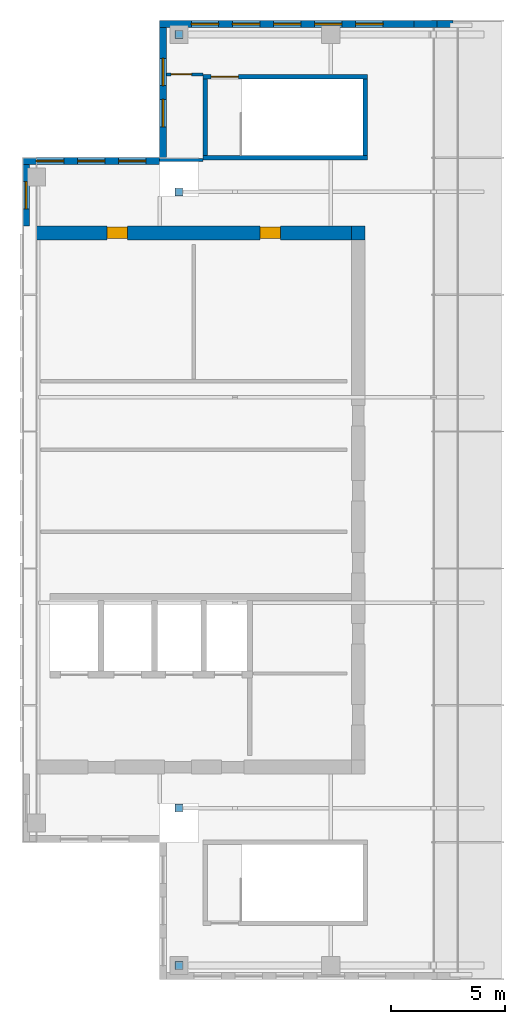
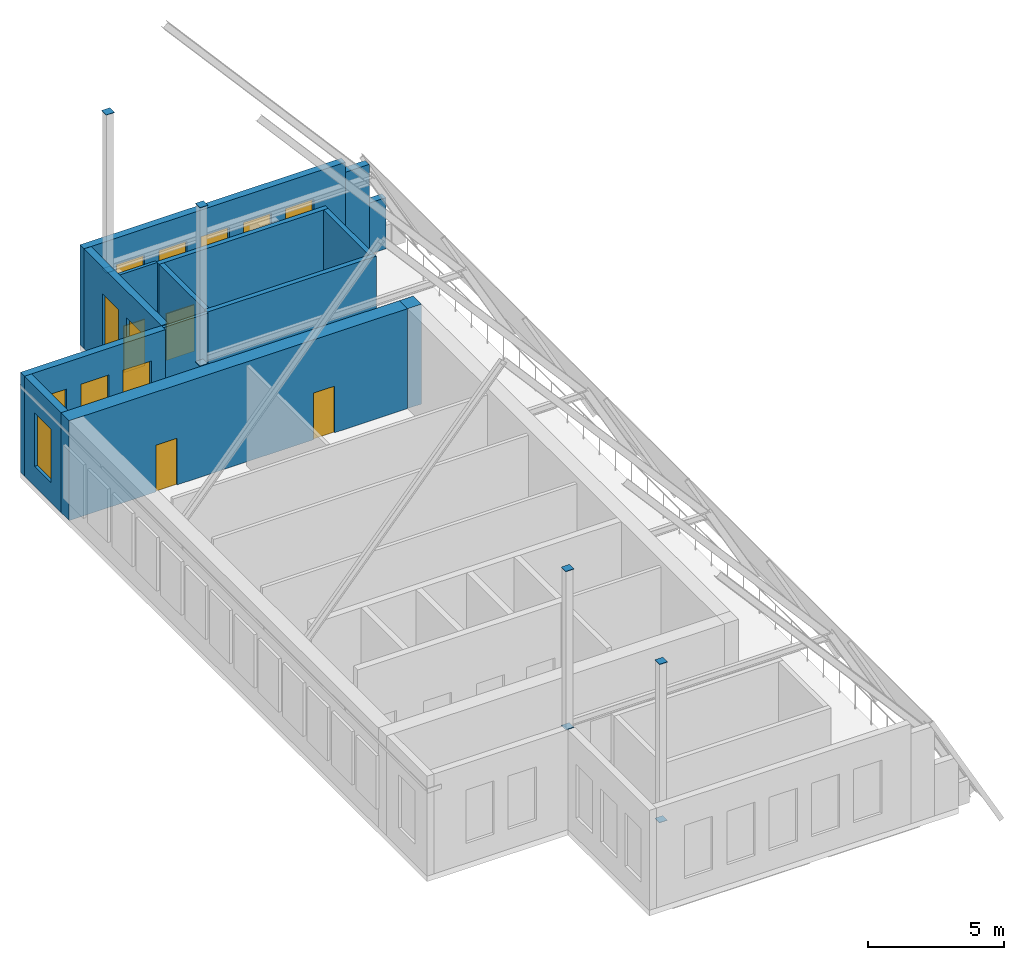
# One storey, part 3 of 4: 14 walls, 11 windows, 8 discrete accessories, 4 doors, 15 openings.
"""IFC4 building model written with IfcOpenShell, lengths in metres."""

from ifc_helpers import new_model, si_unit, direction, frame, frame_2d, origin, origin_2d, place, context, subcontext, project, spatial, rectangle, extrude, source, transform, mapped, material, layer, layer_set, type_object, element, fill, save


model = new_model("IFC4")

# Units and contexts
model_context = context("Model", 3, precision=1e-05, world=origin(), true_north=direction((0.0, 1.0)))
body_context = subcontext(model_context, "Body", "Model", "MODEL_VIEW")
ifc_project = project(units=[si_unit("LENGTHUNIT", "METRE"), si_unit("AREAUNIT", "SQUARE_METRE"), si_unit("VOLUMEUNIT", "CUBIC_METRE"), si_unit("PLANEANGLEUNIT", "RADIAN"), si_unit("MASSUNIT", "GRAM", prefix="KILO")], contexts=[model_context])

# Site, building, storey
site_placement = place(None, origin())
site = spatial("IfcSite", under=ifc_project, at=site_placement, CompositionType="ELEMENT")
building_placement = place(site_placement, origin())
building = spatial("IfcBuilding", under=site, at=building_placement, Name="Khomas Fold Tower", CompositionType="ELEMENT")
storey_placement = place(building_placement, frame((0.0, 0.0, 352.699951171875)))
storey = spatial("IfcBuildingStorey", under=building, at=storey_placement, Name="C6", CompositionType="ELEMENT", Elevation=352.699951171875)

# Wall, openings, doors
ifc_material_1 = material(Name="Concrete C50/60", Category="concrete")
ifc_layer_1 = layer(ifc_material_1, 0.60009765625)
ifc_layer_set_1 = layer_set([ifc_layer_1], Name="Concrete C50/60")
wall_type_1 = type_object("IfcWallType", Name="Core wall 600", PredefinedType="SHEAR", material=ifc_layer_set_1)
shared_shape_1 = source(origin(), body_context, "Body", "SweptSolid", [
    extrude(rectangle(XDim=14.39990234375, YDim=0.60009765625, at=frame_2d((7.199951171875, 0.0))), origin(), (0.0, 0.0, 1.0), 4.5),
])
wall_1_placement = place(storey_placement, frame((6.0, 38.699951171875, 0.0), z_axis=(0.0, 0.0, 1.0), x_axis=(1.0, 0.0, 0.0)))
wall_1 = element("IfcWall", 1, at=wall_1_placement, inside=storey, type_object=wall_type_1, Name="Core wall CW-U-N-L63", PredefinedType="SHEAR", context=body_context, shape_type="MappedRepresentation", body=[
    mapped(shared_shape_1, transform((0.0, 0.0, 0.0))),
])
shared_shape_2 = source(origin(), body_context, "Body", "SweptSolid", [
    extrude(rectangle(XDim=0.89990234375, YDim=2.10009765625, at=frame_2d((0.449951171875, 1.050048828125))), frame((0.0, 0.31005859375, 0.0), z_axis=(0.0, -1.0, 0.0), x_axis=(1.0, 0.0, 0.0)), (0.0, 0.0, 1.0), 0.6201171875),
])
opening_1_placement = place(wall_1_placement, frame((3.699951171875, 0.0, 0.0)))
opening_1 = element("IfcOpeningElement", 2, at=opening_1_placement, cuts=wall_1, Name="Opening 0003", PredefinedType="OPENING", context=body_context, shape_type="MappedRepresentation", body=[
    mapped(shared_shape_2, transform((0.0, 0.0, 0.0))),
])
opening_2_placement = place(wall_1_placement, frame((10.39990234375, 0.0, 0.0)))
opening_2 = element("IfcOpeningElement", 3, at=opening_2_placement, cuts=wall_1, Name="Opening 0003", PredefinedType="OPENING", context=body_context, shape_type="MappedRepresentation", body=[
    mapped(shared_shape_2, transform((0.0, 0.0, 0.0))),
])
ifc_material_2 = material(Name="Steel door leaf", Category="steel")
door_type_1 = type_object("IfcDoorType", Name="Plant room door 900x2100 right-hand", OperationType="SINGLE_SWING_RIGHT", PredefinedType="DOOR", material=ifc_material_2)
shared_shape_3 = source(origin(), body_context, "Body", "SweptSolid", [
    extrude(rectangle(XDim=0.89990234375, YDim=2.10009765625, at=frame_2d((0.449951171875, 1.050048828125))), frame((0.0, 0.25, 0.0), z_axis=(0.0, -1.0, 0.0), x_axis=(1.0, 0.0, 0.0)), (0.0, 0.0, 1.0), 0.5),
])
door_1_placement = place(opening_1_placement, origin())
door_1 = element("IfcDoor", 4, at=door_1_placement, inside=storey, type_object=door_type_1, Name="Plant room door", OperationType="SINGLE_SWING_RIGHT", OverallHeight=2.10009765625, OverallWidth=0.89990234375, PredefinedType="DOOR", context=body_context, shape_type="MappedRepresentation", body=[
    mapped(shared_shape_3, transform((0.0, 0.0, 0.0))),
])
fill(opening_1, door_1)
door_2_placement = place(opening_2_placement, origin())
door_2 = element("IfcDoor", 5, at=door_2_placement, inside=storey, type_object=door_type_1, Name="Plant room door", OperationType="SINGLE_SWING_RIGHT", OverallHeight=2.10009765625, OverallWidth=0.89990234375, PredefinedType="DOOR", context=body_context, shape_type="MappedRepresentation", body=[
    mapped(shared_shape_3, transform((0.0, 0.0, 0.0))),
])
fill(opening_2, door_2)

# Wall
ifc_material_3 = material(Name="Concrete C50/60", Category="concrete")
ifc_layer_2 = layer(ifc_material_3, 0.60009765625)
ifc_layer_set_2 = layer_set([ifc_layer_2], Name="Concrete C50/60")
wall_type_2 = type_object("IfcWallType", Name="Core corner wall 600", PredefinedType="SHEAR", material=ifc_layer_set_2)
shared_shape_4 = source(origin(), body_context, "Body", "SweptSolid", [
    extrude(rectangle(XDim=0.60009765625, YDim=0.60009765625, at=frame_2d((0.300048828125, 0.0))), origin(), (0.0, 0.0, 1.0), 4.5),
])
wall_2_placement = place(storey_placement, frame((20.39990234375, 38.699951171875, 0.0), z_axis=(0.0, 0.0, 1.0), x_axis=(1.0, 0.0, 0.0)))
element("IfcWall", 6, at=wall_2_placement, inside=storey, type_object=wall_type_2, Name="Core wall CW-U-NE-L63", PredefinedType="SHEAR", context=body_context, shape_type="MappedRepresentation", body=[
    mapped(shared_shape_4, transform((0.0, 0.0, 0.0))),
])

# Wall, opening, door
ifc_material_4 = material(Name="Concrete C50/60", Category="concrete")
ifc_layer_3 = layer(ifc_material_4, 0.199951171875)
ifc_layer_set_3 = layer_set([ifc_layer_3], Name="Concrete C50/60")
wall_type_3 = type_object("IfcWallType", Name="Stair wall 200", PredefinedType="SHEAR", material=ifc_layer_set_3)
shared_shape_5 = source(origin(), body_context, "Body", "SweptSolid", [
    extrude(rectangle(XDim=7.2001953125, YDim=0.199951171875, at=frame_2d((3.60009765625, 0.0))), origin(), (0.0, 0.0, 1.0), 4.5),
])
wall_3_placement = place(storey_placement, frame((13.89990234375, 45.550048828125, 0.0), z_axis=(0.0, 0.0, 1.0), x_axis=(1.0, 0.0, 0.0)))
wall_3 = element("IfcWall", 7, at=wall_3_placement, inside=storey, type_object=wall_type_3, Name="Stair wall SW-ST1-NU", PredefinedType="SHEAR", context=body_context, shape_type="MappedRepresentation", body=[
    mapped(shared_shape_5, transform((0.0, 0.0, 0.0))),
])
shared_shape_6 = source(origin(), body_context, "Body", "SweptSolid", [
    extrude(rectangle(XDim=1.199951171875, YDim=2.10009765625, at=frame_2d((0.60009765625, 1.050048828125))), frame((0.0, 0.10986328125, 0.0), z_axis=(0.0, -1.0, 0.0), x_axis=(1.0, 0.0, 0.0)), (0.0, 0.0, 1.0), 0.219970703125),
])
opening_3_placement = place(wall_3_placement, frame((0.35009765625, 0.0, 0.0)))
opening_3 = element("IfcOpeningElement", 8, at=opening_3_placement, cuts=wall_3, Name="Opening SD-ST1", PredefinedType="OPENING", context=body_context, shape_type="MappedRepresentation", body=[
    mapped(shared_shape_6, transform((0.0, 0.0, 0.0))),
])
ifc_material_5 = material(Name="Steel door leaf", Category="steel")
door_type_2 = type_object("IfcDoorType", Name="Stair door 1200x2100 left-hand", OperationType="SINGLE_SWING_LEFT", PredefinedType="DOOR", material=ifc_material_5)
shared_shape_7 = source(origin(), body_context, "Body", "SweptSolid", [
    extrude(rectangle(XDim=1.199951171875, YDim=2.10009765625, at=frame_2d((0.60009765625, 1.050048828125))), frame((0.0, 0.02490234375, 0.0), z_axis=(0.0, -1.0, 0.0), x_axis=(1.0, 0.0, 0.0)), (0.0, 0.0, 1.0), 0.050048828125),
])
door_3_placement = place(opening_3_placement, origin())
door_3 = element("IfcDoor", 9, at=door_3_placement, inside=storey, type_object=door_type_2, Name="Stair door", OperationType="SINGLE_SWING_LEFT", OverallHeight=2.10009765625, OverallWidth=1.199951171875, PredefinedType="DOOR", context=body_context, shape_type="MappedRepresentation", body=[
    mapped(shared_shape_7, transform((0.0, 0.0, 0.0))),
])
fill(opening_3, door_3)

# Walls
wall_4_placement = place(storey_placement, frame((13.89990234375, 42.0, 0.0), z_axis=(0.0, 0.0, 1.0), x_axis=(1.0, 0.0, 0.0)))
element("IfcWall", 10, at=wall_4_placement, inside=storey, type_object=wall_type_3, Name="Stair wall SW-ST1-SU", PredefinedType="SHEAR", context=body_context, shape_type="MappedRepresentation", body=[
    mapped(shared_shape_5, transform((0.0, 0.0, 0.0))),
])
shared_shape_8 = source(origin(), body_context, "Body", "SweptSolid", [
    extrude(rectangle(XDim=3.349853515625, YDim=0.199951171875, at=frame_2d((1.6748046875, 0.0))), origin(), (0.0, 0.0, 1.0), 4.5),
])
for number, where, z_axis, x_axis, name in (
    (11, (21.0, 42.10009765625, 0.0), (0.0, 0.0, 1.0), (0.0, 1.0, 0.0), "Stair wall SW-ST1-EU"),
    (12, (14.0, 42.10009765625, 0.0), (0.0, 0.0, 1.0), (0.0, 1.0, 0.0), "Stair wall SW-ST1-W"),
):
    element("IfcWall", number, at=place(storey_placement, frame(where, z_axis=z_axis, x_axis=x_axis)), inside=storey, type_object=wall_type_3, Name=name, PredefinedType="SHEAR", context=body_context, shape_type="MappedRepresentation", body=[
        mapped(shared_shape_8, transform((0.0, 0.0, 0.0))),
    ])

# Wall, openings, windows
ifc_material_6 = material(Name="Concrete C40/50", Category="concrete")
ifc_layer_4 = layer(ifc_material_6, 0.300048828125)
ifc_layer_set_4 = layer_set([ifc_layer_4], Name="Concrete C40/50")
wall_type_4 = type_object("IfcWallType", Name="Crown gable wall 300 CR-GW1", PredefinedType="SOLIDWALL", material=ifc_layer_set_4)
shared_shape_9 = source(origin(), body_context, "Body", "SweptSolid", [
    extrude(rectangle(XDim=5.699951171875, YDim=0.300048828125, at=frame_2d((2.85009765625, 0.0))), origin(), (0.0, 0.0, 1.0), 4.5),
])
wall_5_placement = place(storey_placement, frame((12.14990234375, 47.699951171875, 0.0), z_axis=(0.0, 0.0, 1.0), x_axis=(0.0, -1.0, 0.0)))
wall_5 = element("IfcWall", 13, at=wall_5_placement, inside=storey, type_object=wall_type_4, Name="Crown wall", PredefinedType="SOLIDWALL", context=body_context, shape_type="MappedRepresentation", body=[
    mapped(shared_shape_9, transform((0.0, 0.0, 0.0))),
])
shared_shape_10 = source(origin(), body_context, "Body", "SweptSolid", [
    extrude(rectangle(XDim=1.199951171875, YDim=2.39990234375, at=frame_2d((0.60009765625, 1.199951171875))), frame((0.0, 0.159912109375, 0.0), z_axis=(0.0, -1.0, 0.0), x_axis=(1.0, 0.0, 0.0)), (0.0, 0.0, 1.0), 0.320068359375),
])
opening_4_placement = place(wall_5_placement, frame((1.35009765625, 0.0, 0.89990234375)))
opening_4 = element("IfcOpeningElement", 14, at=opening_4_placement, cuts=wall_5, Name="Opening CR-LV", PredefinedType="OPENING", context=body_context, shape_type="MappedRepresentation", body=[
    mapped(shared_shape_10, transform((0.0, 0.0, 0.0))),
])
opening_5_placement = place(wall_5_placement, frame((3.14990234375, 0.0, 0.89990234375)))
opening_5 = element("IfcOpeningElement", 15, at=opening_5_placement, cuts=wall_5, Name="Opening CR-LV", PredefinedType="OPENING", context=body_context, shape_type="MappedRepresentation", body=[
    mapped(shared_shape_10, transform((0.0, 0.0, 0.0))),
])
ifc_material_7 = material(Name="Aluminium louvre", Category="aluminium")
window_type = type_object("IfcWindowType", Name="Crown plant louvre 1200 x 2400", PartitioningType="SINGLE_PANEL", PredefinedType="WINDOW", material=ifc_material_7)
shared_shape_11 = source(origin(), body_context, "Body", "SweptSolid", [
    extrude(rectangle(XDim=1.199951171875, YDim=2.39990234375, at=frame_2d((0.60009765625, 1.199951171875))), frame((0.0, 0.030029296875, 0.0), z_axis=(0.0, -1.0, 0.0), x_axis=(1.0, 0.0, 0.0)), (0.0, 0.0, 1.0), 0.06005859375),
])
window_1_placement = place(opening_4_placement, origin())
window_1 = element("IfcWindow", 16, at=window_1_placement, inside=storey, type_object=window_type, Name="Crown plant louvre", OverallHeight=2.39990234375, OverallWidth=1.199951171875, PartitioningType="SINGLE_PANEL", PredefinedType="WINDOW", context=body_context, shape_type="MappedRepresentation", body=[
    mapped(shared_shape_11, transform((0.0, 0.0, 0.0))),
])
fill(opening_4, window_1)
window_2_placement = place(opening_5_placement, origin())
window_2 = element("IfcWindow", 17, at=window_2_placement, inside=storey, type_object=window_type, Name="Crown plant louvre", OverallHeight=2.39990234375, OverallWidth=1.199951171875, PartitioningType="SINGLE_PANEL", PredefinedType="WINDOW", context=body_context, shape_type="MappedRepresentation", body=[
    mapped(shared_shape_11, transform((0.0, 0.0, 0.0))),
])
fill(opening_5, window_2)

shared_shape_12 = source(origin(), body_context, "Body", "SweptSolid", [
    extrude(rectangle(XDim=6.0, YDim=0.300048828125, at=frame_2d((3.0, 0.0))), origin(), (0.0, 0.0, 1.0), 4.5),
])
wall_6_placement = place(storey_placement, frame((12.0, 41.85009765625, 0.0), z_axis=(0.0, 0.0, 1.0), x_axis=(-1.0, 0.0, 0.0)))
wall_6 = element("IfcWall", 18, at=wall_6_placement, inside=storey, type_object=wall_type_4, Name="Crown wall", PredefinedType="SOLIDWALL", context=body_context, shape_type="MappedRepresentation", body=[
    mapped(shared_shape_12, transform((0.0, 0.0, 0.0))),
])
opening_6_placement = place(wall_6_placement, frame((0.60009765625, 0.0, 0.89990234375)))
opening_6 = element("IfcOpeningElement", 19, at=opening_6_placement, cuts=wall_6, Name="Opening CR-LV", PredefinedType="OPENING", context=body_context, shape_type="MappedRepresentation", body=[
    mapped(shared_shape_10, transform((0.0, 0.0, 0.0))),
])
opening_7_placement = place(wall_6_placement, frame((2.39990234375, 0.0, 0.89990234375)))
opening_7 = element("IfcOpeningElement", 20, at=opening_7_placement, cuts=wall_6, Name="Opening CR-LV", PredefinedType="OPENING", context=body_context, shape_type="MappedRepresentation", body=[
    mapped(shared_shape_10, transform((0.0, 0.0, 0.0))),
])
opening_8_placement = place(wall_6_placement, frame((4.199951171875, 0.0, 0.89990234375)))
opening_8 = element("IfcOpeningElement", 21, at=opening_8_placement, cuts=wall_6, Name="Opening CR-LV", PredefinedType="OPENING", context=body_context, shape_type="MappedRepresentation", body=[
    mapped(shared_shape_10, transform((0.0, 0.0, 0.0))),
])
window_3_placement = place(opening_6_placement, origin())
window_3 = element("IfcWindow", 22, at=window_3_placement, inside=storey, type_object=window_type, Name="Crown plant louvre", OverallHeight=2.39990234375, OverallWidth=1.199951171875, PartitioningType="SINGLE_PANEL", PredefinedType="WINDOW", context=body_context, shape_type="MappedRepresentation", body=[
    mapped(shared_shape_11, transform((0.0, 0.0, 0.0))),
])
fill(opening_6, window_3)
window_4_placement = place(opening_7_placement, origin())
window_4 = element("IfcWindow", 23, at=window_4_placement, inside=storey, type_object=window_type, Name="Crown plant louvre", OverallHeight=2.39990234375, OverallWidth=1.199951171875, PartitioningType="SINGLE_PANEL", PredefinedType="WINDOW", context=body_context, shape_type="MappedRepresentation", body=[
    mapped(shared_shape_11, transform((0.0, 0.0, 0.0))),
])
fill(opening_7, window_4)
window_5_placement = place(opening_8_placement, origin())
window_5 = element("IfcWindow", 24, at=window_5_placement, inside=storey, type_object=window_type, Name="Crown plant louvre", OverallHeight=2.39990234375, OverallWidth=1.199951171875, PartitioningType="SINGLE_PANEL", PredefinedType="WINDOW", context=body_context, shape_type="MappedRepresentation", body=[
    mapped(shared_shape_11, transform((0.0, 0.0, 0.0))),
])
fill(opening_8, window_5)

# Wall, opening, window
shared_shape_13 = source(origin(), body_context, "Body", "SweptSolid", [
    extrude(rectangle(XDim=2.699951171875, YDim=0.300048828125, at=frame_2d((1.35009765625, 0.0))), origin(), (0.0, 0.0, 1.0), 4.5),
])
wall_7_placement = place(storey_placement, frame((6.14990234375, 41.699951171875, 0.0), z_axis=(0.0, 0.0, 1.0), x_axis=(0.0, -1.0, 0.0)))
wall_7 = element("IfcWall", 25, at=wall_7_placement, inside=storey, type_object=wall_type_4, Name="Crown wall", PredefinedType="SOLIDWALL", context=body_context, shape_type="MappedRepresentation", body=[
    mapped(shared_shape_13, transform((0.0, 0.0, 0.0))),
])
opening_9_placement = place(wall_7_placement, frame((0.75, 0.0, 0.89990234375)))
opening_9 = element("IfcOpeningElement", 26, at=opening_9_placement, cuts=wall_7, Name="Opening CR-LV", PredefinedType="OPENING", context=body_context, shape_type="MappedRepresentation", body=[
    mapped(shared_shape_10, transform((0.0, 0.0, 0.0))),
])
window_6_placement = place(opening_9_placement, origin())
window_6 = element("IfcWindow", 27, at=window_6_placement, inside=storey, type_object=window_type, Name="Crown plant louvre", OverallHeight=2.39990234375, OverallWidth=1.199951171875, PartitioningType="SINGLE_PANEL", PredefinedType="WINDOW", context=body_context, shape_type="MappedRepresentation", body=[
    mapped(shared_shape_11, transform((0.0, 0.0, 0.0))),
])
fill(opening_9, window_6)

# Walls
ifc_material_8 = material(Name="Concrete C40/50", Category="concrete")
ifc_layer_5 = layer(ifc_material_8, 0.300048828125)
ifc_layer_set_5 = layer_set([ifc_layer_5], Name="Concrete C40/50")
wall_type_5 = type_object("IfcWallType", Name="Crown gable wall 300 CR-GW2", PredefinedType="SOLIDWALL", material=ifc_layer_set_5)
shared_shape_14 = source(origin(), body_context, "Body", "SweptSolid", [
    extrude(rectangle(XDim=1.012451171875, YDim=0.300048828125, at=frame_2d((0.50634765625, 0.0))), origin(), (0.0, 0.0, 1.0), 4.050048828125),
])
wall_8_placement = place(storey_placement, frame((24.14892578125, 47.85009765625, 0.0), z_axis=(0.0, 0.0, 1.0), x_axis=(-1.0, 0.0, 0.0)))
element("IfcWall", 28, at=wall_8_placement, inside=storey, type_object=wall_type_5, Name="Crown wall", PredefinedType="SOLIDWALL", context=body_context, shape_type="MappedRepresentation", body=[
    mapped(shared_shape_14, transform((0.0, 0.0, 0.0))),
])
ifc_material_9 = material(Name="Concrete C40/50", Category="concrete")
ifc_layer_6 = layer(ifc_material_9, 0.300048828125)
ifc_layer_set_6 = layer_set([ifc_layer_6], Name="Concrete C40/50")
wall_type_6 = type_object("IfcWallType", Name="Crown gable wall 300 CR-GW3", PredefinedType="SOLIDWALL", material=ifc_layer_set_6)
shared_shape_15 = source(origin(), body_context, "Body", "SweptSolid", [
    extrude(rectangle(XDim=0.71240234375, YDim=0.300048828125, at=frame_2d((0.356201171875, 0.0))), origin(), (0.0, 0.0, 1.0), 2.300048828125),
])
wall_9_placement = place(storey_placement, frame((24.861328125, 47.85009765625, 0.0), z_axis=(0.0, 0.0, 1.0), x_axis=(-1.0, 0.0, 0.0)))
element("IfcWall", 29, at=wall_9_placement, inside=storey, type_object=wall_type_6, Name="Crown wall", PredefinedType="SOLIDWALL", context=body_context, shape_type="MappedRepresentation", body=[
    mapped(shared_shape_15, transform((0.0, 0.0, 0.0))),
])

# Wall, openings, windows
shared_shape_16 = source(origin(), body_context, "Body", "SweptSolid", [
    extrude(rectangle(XDim=11.136474609375, YDim=0.300048828125, at=frame_2d((5.568359375, 0.0))), origin(), (0.0, 0.0, 1.0), 4.5),
])
wall_10_placement = place(storey_placement, frame((23.136474609375, 47.85009765625, 0.0), z_axis=(0.0, 0.0, 1.0), x_axis=(-1.0, 0.0, 0.0)))
wall_10 = element("IfcWall", 30, at=wall_10_placement, inside=storey, type_object=wall_type_4, Name="Crown wall", PredefinedType="SOLIDWALL", context=body_context, shape_type="MappedRepresentation", body=[
    mapped(shared_shape_16, transform((0.0, 0.0, 0.0))),
])
opening_10_placement = place(wall_10_placement, frame((1.35009765625, 0.0, 0.89990234375)))
opening_10 = element("IfcOpeningElement", 31, at=opening_10_placement, cuts=wall_10, Name="Opening CR-LV", PredefinedType="OPENING", context=body_context, shape_type="MappedRepresentation", body=[
    mapped(shared_shape_10, transform((0.0, 0.0, 0.0))),
])
opening_11_placement = place(wall_10_placement, frame((3.14990234375, 0.0, 0.89990234375)))
opening_11 = element("IfcOpeningElement", 32, at=opening_11_placement, cuts=wall_10, Name="Opening CR-LV", PredefinedType="OPENING", context=body_context, shape_type="MappedRepresentation", body=[
    mapped(shared_shape_10, transform((0.0, 0.0, 0.0))),
])
opening_12_placement = place(wall_10_placement, frame((4.949951171875, 0.0, 0.89990234375)))
opening_12 = element("IfcOpeningElement", 33, at=opening_12_placement, cuts=wall_10, Name="Opening CR-LV", PredefinedType="OPENING", context=body_context, shape_type="MappedRepresentation", body=[
    mapped(shared_shape_10, transform((0.0, 0.0, 0.0))),
])
opening_13_placement = place(wall_10_placement, frame((6.75, 0.0, 0.89990234375)))
opening_13 = element("IfcOpeningElement", 34, at=opening_13_placement, cuts=wall_10, Name="Opening CR-LV", PredefinedType="OPENING", context=body_context, shape_type="MappedRepresentation", body=[
    mapped(shared_shape_10, transform((0.0, 0.0, 0.0))),
])
opening_14_placement = place(wall_10_placement, frame((8.550048828125, 0.0, 0.89990234375)))
opening_14 = element("IfcOpeningElement", 35, at=opening_14_placement, cuts=wall_10, Name="Opening CR-LV", PredefinedType="OPENING", context=body_context, shape_type="MappedRepresentation", body=[
    mapped(shared_shape_10, transform((0.0, 0.0, 0.0))),
])
window_7_placement = place(opening_10_placement, origin())
window_7 = element("IfcWindow", 36, at=window_7_placement, inside=storey, type_object=window_type, Name="Crown plant louvre", OverallHeight=2.39990234375, OverallWidth=1.199951171875, PartitioningType="SINGLE_PANEL", PredefinedType="WINDOW", context=body_context, shape_type="MappedRepresentation", body=[
    mapped(shared_shape_11, transform((0.0, 0.0, 0.0))),
])
fill(opening_10, window_7)
window_8_placement = place(opening_11_placement, origin())
window_8 = element("IfcWindow", 37, at=window_8_placement, inside=storey, type_object=window_type, Name="Crown plant louvre", OverallHeight=2.39990234375, OverallWidth=1.199951171875, PartitioningType="SINGLE_PANEL", PredefinedType="WINDOW", context=body_context, shape_type="MappedRepresentation", body=[
    mapped(shared_shape_11, transform((0.0, 0.0, 0.0))),
])
fill(opening_11, window_8)
window_9_placement = place(opening_12_placement, origin())
window_9 = element("IfcWindow", 38, at=window_9_placement, inside=storey, type_object=window_type, Name="Crown plant louvre", OverallHeight=2.39990234375, OverallWidth=1.199951171875, PartitioningType="SINGLE_PANEL", PredefinedType="WINDOW", context=body_context, shape_type="MappedRepresentation", body=[
    mapped(shared_shape_11, transform((0.0, 0.0, 0.0))),
])
fill(opening_12, window_9)
window_10_placement = place(opening_13_placement, origin())
window_10 = element("IfcWindow", 39, at=window_10_placement, inside=storey, type_object=window_type, Name="Crown plant louvre", OverallHeight=2.39990234375, OverallWidth=1.199951171875, PartitioningType="SINGLE_PANEL", PredefinedType="WINDOW", context=body_context, shape_type="MappedRepresentation", body=[
    mapped(shared_shape_11, transform((0.0, 0.0, 0.0))),
])
fill(opening_13, window_10)
window_11_placement = place(opening_14_placement, origin())
window_11 = element("IfcWindow", 40, at=window_11_placement, inside=storey, type_object=window_type, Name="Crown plant louvre", OverallHeight=2.39990234375, OverallWidth=1.199951171875, PartitioningType="SINGLE_PANEL", PredefinedType="WINDOW", context=body_context, shape_type="MappedRepresentation", body=[
    mapped(shared_shape_11, transform((0.0, 0.0, 0.0))),
])
fill(opening_14, window_11)

# Wall
ifc_material_10 = material(Name="Plasterboard partition")
ifc_layer_7 = layer(ifc_material_10, 0.125)
ifc_layer_set_7 = layer_set([ifc_layer_7], Name="Plasterboard partition")
wall_type_7 = type_object("IfcWallType", Name="Partition PW2 125", PredefinedType="PARTITIONING", material=ifc_layer_set_7)
shared_shape_17 = source(origin(), body_context, "Body", "SweptSolid", [
    extrude(rectangle(XDim=1.89990234375, YDim=0.125, at=frame_2d((0.949951171875, 0.0))), origin(), (0.0, 0.0, 1.0), 4.5),
])
wall_11_placement = place(storey_placement, frame((12.0, 41.89990234375, 0.0), z_axis=(0.0, 0.0, 1.0), x_axis=(1.0, 0.0, 0.0)))
element("IfcWall", 41, at=wall_11_placement, inside=storey, type_object=wall_type_7, Name="Partition", PredefinedType="PARTITIONING", context=body_context, shape_type="MappedRepresentation", body=[
    mapped(shared_shape_17, transform((0.0, 0.0, 0.0))),
])

# Wall, opening, door
shared_shape_18 = source(origin(), body_context, "Body", "SweptSolid", [
    extrude(rectangle(XDim=1.599853515625, YDim=0.125, at=frame_2d((0.7998046875, 0.0))), origin(), (0.0, 0.0, 1.0), 4.5),
])
wall_12_placement = place(storey_placement, frame((12.300048828125, 45.64990234375, 0.0), z_axis=(0.0, 0.0, 1.0), x_axis=(1.0, 0.0, 0.0)))
wall_12 = element("IfcWall", 42, at=wall_12_placement, inside=storey, type_object=wall_type_7, Name="Partition", PredefinedType="PARTITIONING", context=body_context, shape_type="MappedRepresentation", body=[
    mapped(shared_shape_18, transform((0.0, 0.0, 0.0))),
])
shared_shape_19 = source(origin(), body_context, "Body", "SweptSolid", [
    extrude(rectangle(XDim=0.89990234375, YDim=2.10009765625, at=frame_2d((0.449951171875, 1.050048828125))), frame((0.0, 0.072509765625, 0.0), z_axis=(0.0, -1.0, 0.0), x_axis=(1.0, 0.0, 0.0)), (0.0, 0.0, 1.0), 0.14501953125),
])
opening_15_placement = place(wall_12_placement, frame((0.199951171875, 0.0, 0.0)))
opening_15 = element("IfcOpeningElement", 43, at=opening_15_placement, cuts=wall_12, Name="Opening 0007", PredefinedType="OPENING", context=body_context, shape_type="MappedRepresentation", body=[
    mapped(shared_shape_19, transform((0.0, 0.0, 0.0))),
])
ifc_material_11 = material(Name="Timber door leaf", Category="wood")
door_type_3 = type_object("IfcDoorType", Name="Door 900x2100 left-hand", OperationType="SINGLE_SWING_LEFT", PredefinedType="DOOR", material=ifc_material_11)
shared_shape_20 = source(origin(), body_context, "Body", "SweptSolid", [
    extrude(rectangle(XDim=0.89990234375, YDim=2.10009765625, at=frame_2d((0.449951171875, 1.050048828125))), frame((0.0, 0.02490234375, 0.0), z_axis=(0.0, -1.0, 0.0), x_axis=(1.0, 0.0, 0.0)), (0.0, 0.0, 1.0), 0.050048828125),
])
door_4_placement = place(opening_15_placement, origin())
door_4 = element("IfcDoor", 44, at=door_4_placement, inside=storey, type_object=door_type_3, Name="Door", OperationType="SINGLE_SWING_LEFT", OverallHeight=2.10009765625, OverallWidth=0.89990234375, PredefinedType="DOOR", context=body_context, shape_type="MappedRepresentation", body=[
    mapped(shared_shape_20, transform((0.0, 0.0, 0.0))),
])
fill(opening_15, door_4)

# Discrete accessories
ifc_material_12 = material(Name="Steel S355", Category="steel")
ifc_layer_8 = layer(ifc_material_12, 0.02001953125)
ifc_layer_set_8 = layer_set([ifc_layer_8], Name="Steel S355")
discrete_accessory_type = type_object("IfcDiscreteAccessoryType", Name="End plate 340 x 20 EP1", PredefinedType="BRACKET", material=ifc_layer_set_8)
shared_shape_21 = source(origin(), body_context, "Body", "SweptSolid", [
    extrude(rectangle(XDim=0.340087890625, YDim=0.340087890625, at=origin_2d()), origin(), (0.0, 0.0, 1.0), 0.02001953125),
])
for number, where, z_axis, x_axis, name in (
    (45, (12.85009765625, 6.60009765625, 3.429931640625), (0.0, 0.0, 1.0), (1.0, 0.0, 0.0), "End plate CF-PG-C6"),
    (46, (12.85009765625, 6.60009765625, 10.555419921875), (0.0, 0.0, 1.0), (1.0, 0.0, 0.0), "End plate CF-PG-C6"),
    (47, (12.85009765625, 13.5, 3.429931640625), (0.0, 0.0, 1.0), (1.0, 0.0, 0.0), "End plate CF-PG-C6"),
    (48, (12.85009765625, 13.5, 10.555419921875), (0.0, 0.0, 1.0), (1.0, 0.0, 0.0), "End plate CF-PG-C6"),
    (49, (12.85009765625, 40.5, 3.429931640625), (0.0, 0.0, 1.0), (1.0, 0.0, 0.0), "End plate CF-PG-C6"),
    (50, (12.85009765625, 40.5, 10.555419921875), (0.0, 0.0, 1.0), (1.0, 0.0, 0.0), "End plate CF-PG-C6"),
    (51, (12.85009765625, 47.39990234375, 3.429931640625), (0.0, 0.0, 1.0), (1.0, 0.0, 0.0), "End plate CF-PG-C6"),
    (52, (12.85009765625, 47.39990234375, 10.555419921875), (0.0, 0.0, 1.0), (1.0, 0.0, 0.0), "End plate CF-PG-C6"),
):
    element("IfcDiscreteAccessory", number, at=place(storey_placement, frame(where, z_axis=z_axis, x_axis=x_axis)), inside=storey, type_object=discrete_accessory_type, Name=name, PredefinedType="BRACKET", context=body_context, shape_type="MappedRepresentation", body=[
        mapped(shared_shape_21, transform((0.0, 0.0, 0.0))),
    ])

save(model, "model.ifc")
